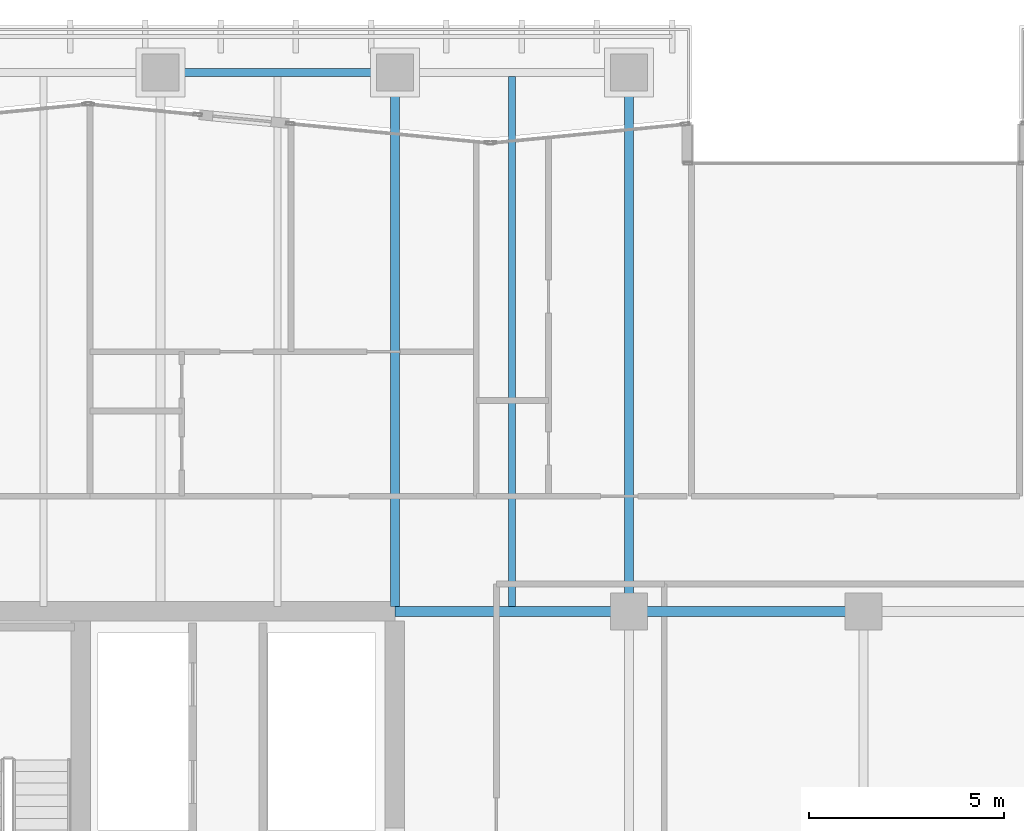
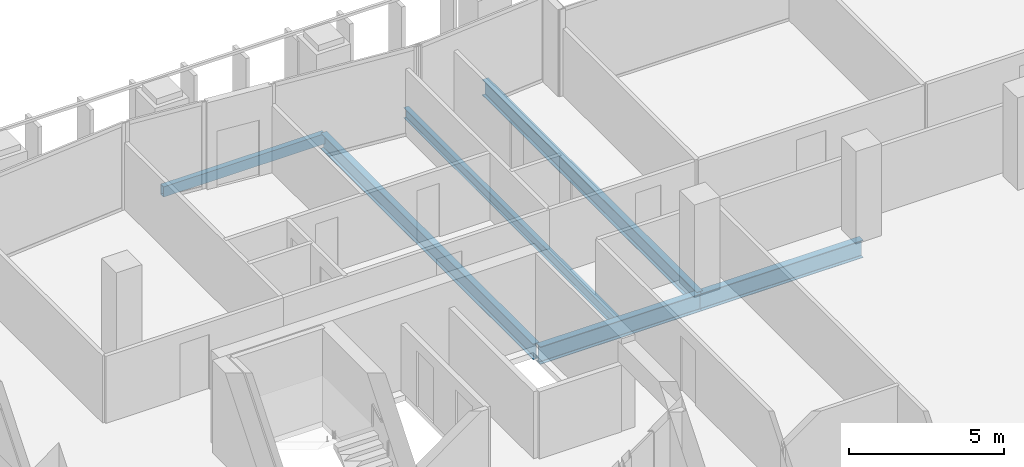
# One storey, part 12 of 39: 6 beams.
"""IFC4 building model written with IfcOpenShell, lengths in metres."""

from ifc_helpers import new_model, si_unit, direction, frame, origin, origin_2d, place, context, subcontext, project, spatial, hollow_rectangle, i_section, extrude, material, material_profile, profile_set, type_object, element, save


model = new_model("IFC4")

# Units and contexts
model_context = context("Model", 3, precision=1e-05, world=origin(), true_north=direction((0.0, 1.0)))
body_context = subcontext(model_context, "Body", "Model", "MODEL_VIEW")
ifc_project = project(units=[si_unit("LENGTHUNIT", "METRE"), si_unit("AREAUNIT", "SQUARE_METRE"), si_unit("VOLUMEUNIT", "CUBIC_METRE"), si_unit("PLANEANGLEUNIT", "RADIAN"), si_unit("MASSUNIT", "GRAM", prefix="KILO")], contexts=[model_context])

# Site, building, storey
site_placement = place(None, origin())
site = spatial("IfcSite", under=ifc_project, at=site_placement, CompositionType="ELEMENT")
building_placement = place(site_placement, origin())
building = spatial("IfcBuilding", under=site, at=building_placement, Name="Tanjung Sevakor Pilgrim Tower", CompositionType="ELEMENT")
storey_placement = place(building_placement, frame((0.0, 0.0, 108.570068359375)))
storey = spatial("IfcBuildingStorey", under=building, at=storey_placement, Name="L30", CompositionType="ELEMENT", Elevation=108.570068359375)

# Beams
ifc_material_1 = material(Name="Steel S355J2", Category="steel")
ifc_material_profile_1 = material_profile(ifc_material_1, i_section(OverallWidth=0.25439453125, OverallDepth=0.6875, WebThickness=0.01318359375, FlangeThickness=0.02099609375, FilletRadius=0.01513671875, at=origin_2d()))
ifc_profile_set_1 = profile_set([ifc_material_profile_1], Name="Steel S355J2")
beam_type_1 = type_object("IfcBeamType", Name="BM-B-G2-UB_686x254x152", PredefinedType="BEAM", material=ifc_profile_set_1)
for number, where, z_axis, x_axis, name in (
    (1, (36.0, 42.60009765625, -0.56396484375), (1.0, 0.0, 0.0), (0.0, 1.0, 0.0), "L30 Primary Floor Girder MAIN Y426-02"),
    (2, (42.0, 42.60009765625, -0.56396484375), (1.0, 0.0, 0.0), (0.0, 1.0, 0.0), "L30 Primary Floor Girder MAIN Y426-03"),
):
    element("IfcBeam", number, at=place(storey_placement, frame(where, z_axis=z_axis, x_axis=x_axis)), inside=storey, type_object=beam_type_1, Name=name, PredefinedType="BEAM", context=body_context, shape_type="SweptSolid", body=[
        extrude(i_section(OverallWidth=0.25439453125, OverallDepth=0.6875, WebThickness=0.01318359375, FlangeThickness=0.02099609375, FilletRadius=0.01513671875, at=origin_2d()), origin(), (0.0, 0.0, 1.0), 6.0),
    ])
ifc_material_2 = material(Name="Steel S355J2", Category="steel")
ifc_material_profile_2 = material_profile(ifc_material_2, i_section(OverallWidth=0.230224609375, OverallDepth=0.6171875, WebThickness=0.01318359375, FlangeThickness=0.022216796875, FilletRadius=0.0126953125, at=origin_2d()))
ifc_profile_set_2 = profile_set([ifc_material_profile_2], Name="Steel S355J2")
beam_type_2 = type_object("IfcBeamType", Name="BM-B-G3-UB_610x229x140", PredefinedType="BEAM", material=ifc_profile_set_2)
beam_1_placement = place(storey_placement, frame((36.0, 42.727294921875, -0.528564453125), z_axis=(0.0, 1.0, 0.0), x_axis=(-1.0, 0.0, 0.0)))
element("IfcBeam", 3, at=beam_1_placement, inside=storey, type_object=beam_type_2, Name="L30 MAIN Girder 010", PredefinedType="BEAM", context=body_context, shape_type="SweptSolid", body=[
    extrude(i_section(OverallWidth=0.230224609375, OverallDepth=0.6171875, WebThickness=0.01318359375, FlangeThickness=0.022216796875, FilletRadius=0.0126953125, at=origin_2d()), origin(), (0.0, 0.0, 1.0), 13.672607421875),
])
beam_2_placement = place(storey_placement, frame((42.0, 42.60009765625, -0.528564453125), z_axis=(0.0, 1.0, 0.0), x_axis=(-1.0, 0.0, 0.0)))
element("IfcBeam", 4, at=beam_2_placement, inside=storey, type_object=beam_type_2, Name="L30 MAIN Girder 015", PredefinedType="BEAM", context=body_context, shape_type="SweptSolid", body=[
    extrude(i_section(OverallWidth=0.230224609375, OverallDepth=0.6171875, WebThickness=0.01318359375, FlangeThickness=0.022216796875, FilletRadius=0.0126953125, at=origin_2d()), origin(), (0.0, 0.0, 1.0), 13.7998046875),
])
ifc_material_3 = material(Name="Steel S355J2", Category="steel")
ifc_material_profile_3 = material_profile(ifc_material_3, i_section(OverallWidth=0.1787109375, OverallDepth=0.409423828125, WebThickness=0.0087890625, FlangeThickness=0.014404296875, FilletRadius=0.01025390625, at=origin_2d()))
ifc_profile_set_3 = profile_set([ifc_material_profile_3], Name="Steel S355J2")
beam_type_3 = type_object("IfcBeamType", Name="BM-B-J3-UB_406x178x67", PredefinedType="JOIST", material=ifc_profile_set_3)
beam_3_placement = place(storey_placement, frame((39.0, 42.727294921875, -0.4248046875), z_axis=(0.0, 1.0, 0.0), x_axis=(-1.0, 0.0, 0.0)))
element("IfcBeam", 5, at=beam_3_placement, inside=storey, type_object=beam_type_3, Name="L30 MAIN Joist 012", PredefinedType="JOIST", context=body_context, shape_type="SweptSolid", body=[
    extrude(i_section(OverallWidth=0.1787109375, OverallDepth=0.409423828125, WebThickness=0.0087890625, FlangeThickness=0.014404296875, FilletRadius=0.01025390625, at=origin_2d()), origin(), (0.0, 0.0, 1.0), 13.57275390625),
])
ifc_material_4 = material(Name="Steel S355J2", Category="steel")
ifc_material_profile_4 = material_profile(ifc_material_4, hollow_rectangle(XDim=0.199951171875, YDim=0.39990234375, WallThickness=0.01611328125, at=origin_2d()))
ifc_profile_set_4 = profile_set([ifc_material_profile_4], Name="Steel S355J2")
beam_type_4 = type_object("IfcBeamType", Name="BM-B-SP2-RHS_400x200x16", PredefinedType="SPANDREL", material=ifc_profile_set_4)
beam_4_placement = place(storey_placement, frame((30.0, 56.39990234375, -0.420166015625), z_axis=(1.0, 0.0, 0.0), x_axis=(0.0, 1.0, 0.0)))
element("IfcBeam", 6, at=beam_4_placement, inside=storey, type_object=beam_type_4, Name="L30 Spandrel MAIN N-04", PredefinedType="SPANDREL", context=body_context, shape_type="SweptSolid", body=[
    extrude(hollow_rectangle(XDim=0.199951171875, YDim=0.39990234375, WallThickness=0.01611328125, at=origin_2d()), origin(), (0.0, 0.0, 1.0), 6.0),
])

save(model, "model.ifc")
